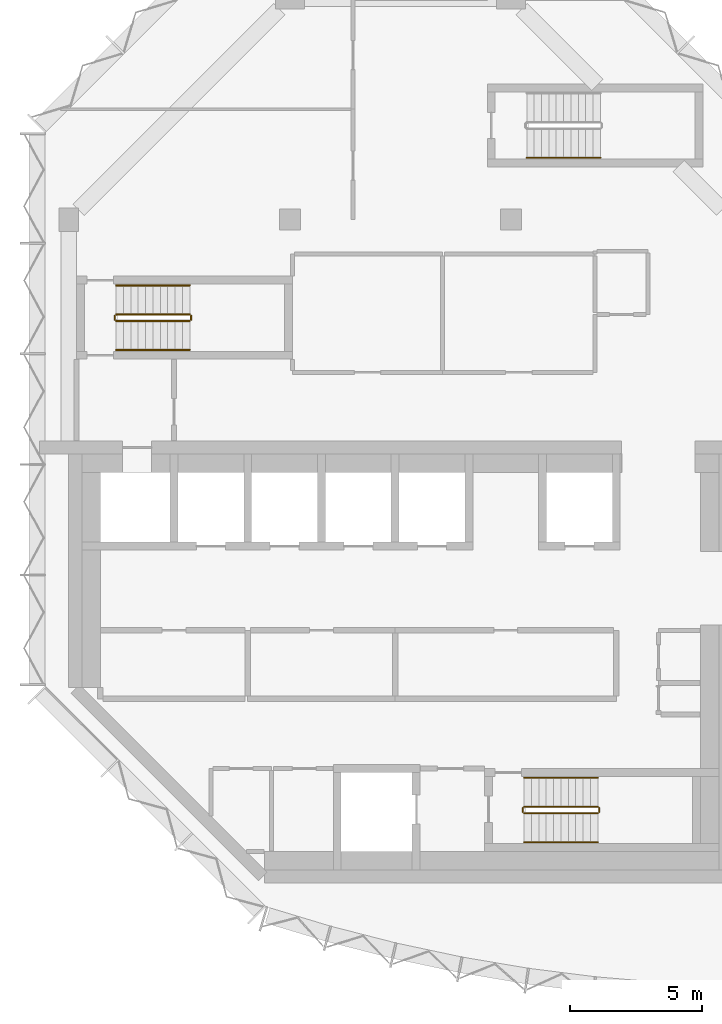
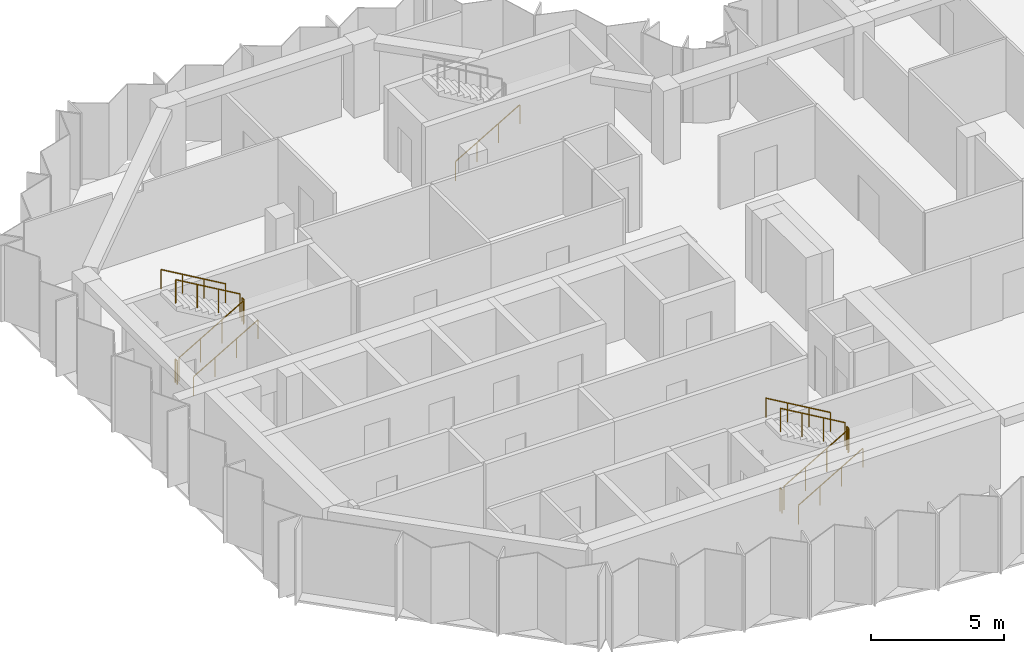
# One storey, part 9 of 10: 13 railings.
"""IFC4 building model written with IfcOpenShell, lengths in metres."""

from ifc_helpers import new_model, si_unit, direction, frame, origin, origin_2d, place, context, subcontext, project, spatial, circle, extrude, material, type_object, element, save


model = new_model("IFC4")

# Units and contexts
model_context = context("Model", 3, precision=1e-05, world=origin(), true_north=direction((0.0, 1.0)))
body_context = subcontext(model_context, "Body", "Model", "MODEL_VIEW")
ifc_project = project(units=[si_unit("LENGTHUNIT", "METRE"), si_unit("AREAUNIT", "SQUARE_METRE"), si_unit("VOLUMEUNIT", "CUBIC_METRE"), si_unit("PLANEANGLEUNIT", "RADIAN"), si_unit("MASSUNIT", "GRAM", prefix="KILO")], contexts=[model_context])

# Site, building, storey
site_placement = place(None, origin())
site = spatial("IfcSite", under=ifc_project, at=site_placement, CompositionType="ELEMENT")
building_placement = place(site_placement, origin())
building = spatial("IfcBuilding", under=site, at=building_placement, Name="Brevane Broadcast Tower", CompositionType="ELEMENT")
storey_placement = place(building_placement, frame((0.0, 0.0, 237.300048828125)))
storey = spatial("IfcBuildingStorey", under=building, at=storey_placement, Name="L60", CompositionType="ELEMENT", Elevation=237.300048828125)

# Railings
ifc_material = material(Name="Steel S355", Category="steel")
railing_type_1 = type_object("IfcRailingType", Name="Exit stair guard", PredefinedType="GUARDRAIL", material=ifc_material)
railing_1_placement = place(storey_placement, frame((1.800048828125, 21.35009765625, 0.16357421875)))
element("IfcRailing", 1, at=railing_1_placement, inside=storey, type_object=railing_type_1, Name="L60 ST-1 stair guard 1", PredefinedType="GUARDRAIL", context=body_context, shape_type="SweptSolid", body=[
    extrude(circle(Radius=0.02392578125, at=origin_2d()), frame((0.0, 0.0, 1.076171875), z_axis=(0.863360870873, 0.0, 0.504586966384), x_axis=(0.0, 1.0, 0.0)), (0.0, 0.0, 1.0), 3.2431640625),
    extrude(circle(Radius=0.02099609375, at=origin_2d()), origin(), (0.0, 0.0, 1.0), 1.052001953125),
    extrude(circle(Radius=0.02099609375, at=origin_2d()), frame((0.933349609375, 0.0, 0.54541015625)), (0.0, 0.0, 1.0), 1.052001953125),
    extrude(circle(Radius=0.02099609375, at=origin_2d()), frame((1.86669921875, 0.0, 1.091064453125)), (0.0, 0.0, 1.0), 1.052001953125),
    extrude(circle(Radius=0.02099609375, at=origin_2d()), frame((2.800048828125, 0.0, 1.636474609375)), (0.0, 0.0, 1.0), 1.052001953125),
])
railing_2_placement = place(storey_placement, frame((4.64990234375, 21.39990234375, 1.800048828125)))
element("IfcRailing", 2, at=railing_2_placement, inside=storey, type_object=railing_type_1, Name="L60 ST-1 stair guard 2", PredefinedType="GUARDRAIL", context=body_context, shape_type="SweptSolid", body=[
    extrude(circle(Radius=0.02392578125, at=origin_2d()), frame((0.0, 0.0, 1.076171875), z_axis=(0.0, 1.0, 0.0), x_axis=(-1.0, 0.0, 0.0)), (0.0, 0.0, 1.0), 0.150146484375),
    extrude(circle(Radius=0.02099609375, at=origin_2d()), origin(), (0.0, 0.0, 1.0), 1.052001953125),
    extrude(circle(Radius=0.02099609375, at=origin_2d()), frame((0.0, 0.150146484375, 0.0)), (0.0, 0.0, 1.0), 1.052001953125),
])
railing_3_placement = place(storey_placement, frame((4.60009765625, 21.60009765625, 1.963623046875)))
element("IfcRailing", 3, at=railing_3_placement, inside=storey, type_object=railing_type_1, Name="L60 ST-1 stair guard 3", PredefinedType="GUARDRAIL", context=body_context, shape_type="SweptSolid", body=[
    extrude(circle(Radius=0.02392578125, at=origin_2d()), frame((0.0, 0.0, 1.076171875), z_axis=(-0.863393664356, 0.0, 0.504530851732), x_axis=(0.0, -1.0, 0.0)), (0.0, 0.0, 1.0), 3.2431640625),
    extrude(circle(Radius=0.02099609375, at=origin_2d()), origin(), (0.0, 0.0, 1.0), 1.052001953125),
    extrude(circle(Radius=0.02099609375, at=origin_2d()), frame((-0.933349609375, 0.0, 0.54541015625)), (0.0, 0.0, 1.0), 1.052001953125),
    extrude(circle(Radius=0.02099609375, at=origin_2d()), frame((-1.86669921875, 0.0, 1.0908203125)), (0.0, 0.0, 1.0), 1.052001953125),
    extrude(circle(Radius=0.02099609375, at=origin_2d()), frame((-2.800048828125, 0.0, 1.63623046875)), (0.0, 0.0, 1.0), 1.052001953125),
])
railing_4_placement = place(storey_placement, frame((1.75, 21.39990234375, 0.0)))
element("IfcRailing", 4, at=railing_4_placement, inside=storey, type_object=railing_type_1, Name="L60 ST-1 stair guard 4", PredefinedType="GUARDRAIL", context=body_context, shape_type="SweptSolid", body=[
    extrude(circle(Radius=0.02392578125, at=origin_2d()), frame((0.0, 0.0, 1.076171875), z_axis=(0.0, 1.0, 0.0), x_axis=(-1.0, 0.0, 0.0)), (0.0, 0.0, 1.0), 0.150146484375),
    extrude(circle(Radius=0.02099609375, at=origin_2d()), origin(), (0.0, 0.0, 1.0), 1.052001953125),
    extrude(circle(Radius=0.02099609375, at=origin_2d()), frame((0.0, 0.150146484375, 0.0)), (0.0, 0.0, 1.0), 1.052001953125),
])
railing_5_placement = place(storey_placement, frame((17.300048828125, 2.64990234375, 0.16357421875)))
element("IfcRailing", 5, at=railing_5_placement, inside=storey, type_object=railing_type_1, Name="L60 ST-2 stair guard 1", PredefinedType="GUARDRAIL", context=body_context, shape_type="SweptSolid", body=[
    extrude(circle(Radius=0.02392578125, at=origin_2d()), frame((0.0, 0.0, 1.076171875), z_axis=(0.863360870873, 0.0, 0.504586966384), x_axis=(0.0, 1.0, 0.0)), (0.0, 0.0, 1.0), 3.2431640625),
    extrude(circle(Radius=0.02099609375, at=origin_2d()), origin(), (0.0, 0.0, 1.0), 1.052001953125),
    extrude(circle(Radius=0.02099609375, at=origin_2d()), frame((0.933349609375, 0.0, 0.54541015625)), (0.0, 0.0, 1.0), 1.052001953125),
    extrude(circle(Radius=0.02099609375, at=origin_2d()), frame((1.86669921875, 0.0, 1.091064453125)), (0.0, 0.0, 1.0), 1.052001953125),
    extrude(circle(Radius=0.02099609375, at=origin_2d()), frame((2.800048828125, 0.0, 1.636474609375)), (0.0, 0.0, 1.0), 1.052001953125),
])
railing_6_placement = place(storey_placement, frame((20.14990234375, 2.699951171875, 1.800048828125)))
element("IfcRailing", 6, at=railing_6_placement, inside=storey, type_object=railing_type_1, Name="L60 ST-2 stair guard 2", PredefinedType="GUARDRAIL", context=body_context, shape_type="SweptSolid", body=[
    extrude(circle(Radius=0.02392578125, at=origin_2d()), frame((0.0, 0.0, 1.076171875), z_axis=(0.0, 1.0, 0.0), x_axis=(-1.0, 0.0, 0.0)), (0.0, 0.0, 1.0), 0.150146484375),
    extrude(circle(Radius=0.02099609375, at=origin_2d()), origin(), (0.0, 0.0, 1.0), 1.052001953125),
    extrude(circle(Radius=0.02099609375, at=origin_2d()), frame((0.0, 0.150146484375, 0.0)), (0.0, 0.0, 1.0), 1.052001953125),
])
railing_7_placement = place(storey_placement, frame((20.10009765625, 2.89990234375, 1.963623046875)))
element("IfcRailing", 7, at=railing_7_placement, inside=storey, type_object=railing_type_1, Name="L60 ST-2 stair guard 3", PredefinedType="GUARDRAIL", context=body_context, shape_type="SweptSolid", body=[
    extrude(circle(Radius=0.02392578125, at=origin_2d()), frame((0.0, 0.0, 1.076171875), z_axis=(-0.863393664356, 0.0, 0.504530851732), x_axis=(0.0, -1.0, 0.0)), (0.0, 0.0, 1.0), 3.2431640625),
    extrude(circle(Radius=0.02099609375, at=origin_2d()), origin(), (0.0, 0.0, 1.0), 1.052001953125),
    extrude(circle(Radius=0.02099609375, at=origin_2d()), frame((-0.933349609375, 0.0, 0.54541015625)), (0.0, 0.0, 1.0), 1.052001953125),
    extrude(circle(Radius=0.02099609375, at=origin_2d()), frame((-1.86669921875, 0.0, 1.0908203125)), (0.0, 0.0, 1.0), 1.052001953125),
    extrude(circle(Radius=0.02099609375, at=origin_2d()), frame((-2.800048828125, 0.0, 1.63623046875)), (0.0, 0.0, 1.0), 1.052001953125),
])
railing_8_placement = place(storey_placement, frame((17.25, 2.699951171875, 0.0)))
element("IfcRailing", 8, at=railing_8_placement, inside=storey, type_object=railing_type_1, Name="L60 ST-2 stair guard 4", PredefinedType="GUARDRAIL", context=body_context, shape_type="SweptSolid", body=[
    extrude(circle(Radius=0.02392578125, at=origin_2d()), frame((0.0, 0.0, 1.076171875), z_axis=(0.0, 1.0, 0.0), x_axis=(-1.0, 0.0, 0.0)), (0.0, 0.0, 1.0), 0.150146484375),
    extrude(circle(Radius=0.02099609375, at=origin_2d()), origin(), (0.0, 0.0, 1.0), 1.052001953125),
    extrude(circle(Radius=0.02099609375, at=origin_2d()), frame((0.0, 0.150146484375, 0.0)), (0.0, 0.0, 1.0), 1.052001953125),
])
railing_type_2 = type_object("IfcRailingType", Name="Exit stair handrail", PredefinedType="HANDRAIL", material=ifc_material)
railing_9_placement = place(storey_placement, frame((1.800048828125, 20.25, 0.16357421875)))
element("IfcRailing", 9, at=railing_9_placement, inside=storey, type_object=railing_type_2, Name="L60 ST-1 stair handrail 1", PredefinedType="HANDRAIL", context=body_context, shape_type="SweptSolid", body=[
    extrude(circle(Radius=0.02392578125, at=origin_2d()), frame((0.0, 0.0, 0.8759765625), z_axis=(0.863360870873, 0.0, 0.504586966384), x_axis=(0.0, 1.0, 0.0)), (0.0, 0.0, 1.0), 3.2431640625),
    extrude(circle(Radius=0.02099609375, at=origin_2d()), origin(), (0.0, 0.0, 1.0), 0.851806640625),
    extrude(circle(Radius=0.02099609375, at=origin_2d()), frame((0.933349609375, 0.0, 0.54541015625)), (0.0, 0.0, 1.0), 0.851806640625),
    extrude(circle(Radius=0.02099609375, at=origin_2d()), frame((1.86669921875, 0.0, 1.091064453125)), (0.0, 0.0, 1.0), 0.851806640625),
    extrude(circle(Radius=0.02099609375, at=origin_2d()), frame((2.800048828125, 0.0, 1.636474609375)), (0.0, 0.0, 1.0), 0.851806640625),
])
railing_10_placement = place(storey_placement, frame((4.60009765625, 22.699951171875, 1.963623046875)))
element("IfcRailing", 10, at=railing_10_placement, inside=storey, type_object=railing_type_2, Name="L60 ST-1 stair handrail 2", PredefinedType="HANDRAIL", context=body_context, shape_type="SweptSolid", body=[
    extrude(circle(Radius=0.02392578125, at=origin_2d()), frame((0.0, 0.0, 0.8759765625), z_axis=(-0.863393664356, 0.0, 0.504530851732), x_axis=(0.0, -1.0, 0.0)), (0.0, 0.0, 1.0), 3.2431640625),
    extrude(circle(Radius=0.02099609375, at=origin_2d()), origin(), (0.0, 0.0, 1.0), 0.851806640625),
    extrude(circle(Radius=0.02099609375, at=origin_2d()), frame((-0.933349609375, 0.0, 0.54541015625)), (0.0, 0.0, 1.0), 0.851806640625),
    extrude(circle(Radius=0.02099609375, at=origin_2d()), frame((-1.86669921875, 0.0, 1.0908203125)), (0.0, 0.0, 1.0), 0.851806640625),
    extrude(circle(Radius=0.02099609375, at=origin_2d()), frame((-2.800048828125, 0.0, 1.63623046875)), (0.0, 0.0, 1.0), 0.851806640625),
])
railing_11_placement = place(storey_placement, frame((17.300048828125, 1.550048828125, 0.16357421875)))
element("IfcRailing", 11, at=railing_11_placement, inside=storey, type_object=railing_type_2, Name="L60 ST-2 stair handrail 1", PredefinedType="HANDRAIL", context=body_context, shape_type="SweptSolid", body=[
    extrude(circle(Radius=0.02392578125, at=origin_2d()), frame((0.0, 0.0, 0.8759765625), z_axis=(0.863360870873, 0.0, 0.504586966384), x_axis=(0.0, 1.0, 0.0)), (0.0, 0.0, 1.0), 3.2431640625),
    extrude(circle(Radius=0.02099609375, at=origin_2d()), origin(), (0.0, 0.0, 1.0), 0.851806640625),
    extrude(circle(Radius=0.02099609375, at=origin_2d()), frame((0.933349609375, 0.0, 0.54541015625)), (0.0, 0.0, 1.0), 0.851806640625),
    extrude(circle(Radius=0.02099609375, at=origin_2d()), frame((1.86669921875, 0.0, 1.091064453125)), (0.0, 0.0, 1.0), 0.851806640625),
    extrude(circle(Radius=0.02099609375, at=origin_2d()), frame((2.800048828125, 0.0, 1.636474609375)), (0.0, 0.0, 1.0), 0.851806640625),
])
railing_12_placement = place(storey_placement, frame((20.10009765625, 4.0, 1.963623046875)))
element("IfcRailing", 12, at=railing_12_placement, inside=storey, type_object=railing_type_2, Name="L60 ST-2 stair handrail 2", PredefinedType="HANDRAIL", context=body_context, shape_type="SweptSolid", body=[
    extrude(circle(Radius=0.02392578125, at=origin_2d()), frame((0.0, 0.0, 0.8759765625), z_axis=(-0.863393664356, 0.0, 0.504530851732), x_axis=(0.0, -1.0, 0.0)), (0.0, 0.0, 1.0), 3.2431640625),
    extrude(circle(Radius=0.02099609375, at=origin_2d()), origin(), (0.0, 0.0, 1.0), 0.851806640625),
    extrude(circle(Radius=0.02099609375, at=origin_2d()), frame((-0.933349609375, 0.0, 0.54541015625)), (0.0, 0.0, 1.0), 0.851806640625),
    extrude(circle(Radius=0.02099609375, at=origin_2d()), frame((-1.86669921875, 0.0, 1.0908203125)), (0.0, 0.0, 1.0), 0.851806640625),
    extrude(circle(Radius=0.02099609375, at=origin_2d()), frame((-2.800048828125, 0.0, 1.63623046875)), (0.0, 0.0, 1.0), 0.851806640625),
])
railing_13_placement = place(storey_placement, frame((17.39990234375, 27.550048828125, 0.16357421875)))
element("IfcRailing", 13, at=railing_13_placement, inside=storey, type_object=railing_type_2, Name="L60 ST-3 stair handrail 1", PredefinedType="HANDRAIL", context=body_context, shape_type="SweptSolid", body=[
    extrude(circle(Radius=0.02392578125, at=origin_2d()), frame((0.0, 0.0, 0.8759765625), z_axis=(0.863360870873, 0.0, 0.504586966384), x_axis=(0.0, 1.0, 0.0)), (0.0, 0.0, 1.0), 3.2431640625),
    extrude(circle(Radius=0.02099609375, at=origin_2d()), origin(), (0.0, 0.0, 1.0), 0.851806640625),
    extrude(circle(Radius=0.02099609375, at=origin_2d()), frame((0.933349609375, 0.0, 0.54541015625)), (0.0, 0.0, 1.0), 0.851806640625),
    extrude(circle(Radius=0.02099609375, at=origin_2d()), frame((1.86669921875, 0.0, 1.091064453125)), (0.0, 0.0, 1.0), 0.851806640625),
    extrude(circle(Radius=0.02099609375, at=origin_2d()), frame((2.800048828125, 0.0, 1.636474609375)), (0.0, 0.0, 1.0), 0.851806640625),
])

save(model, "model.ifc")
